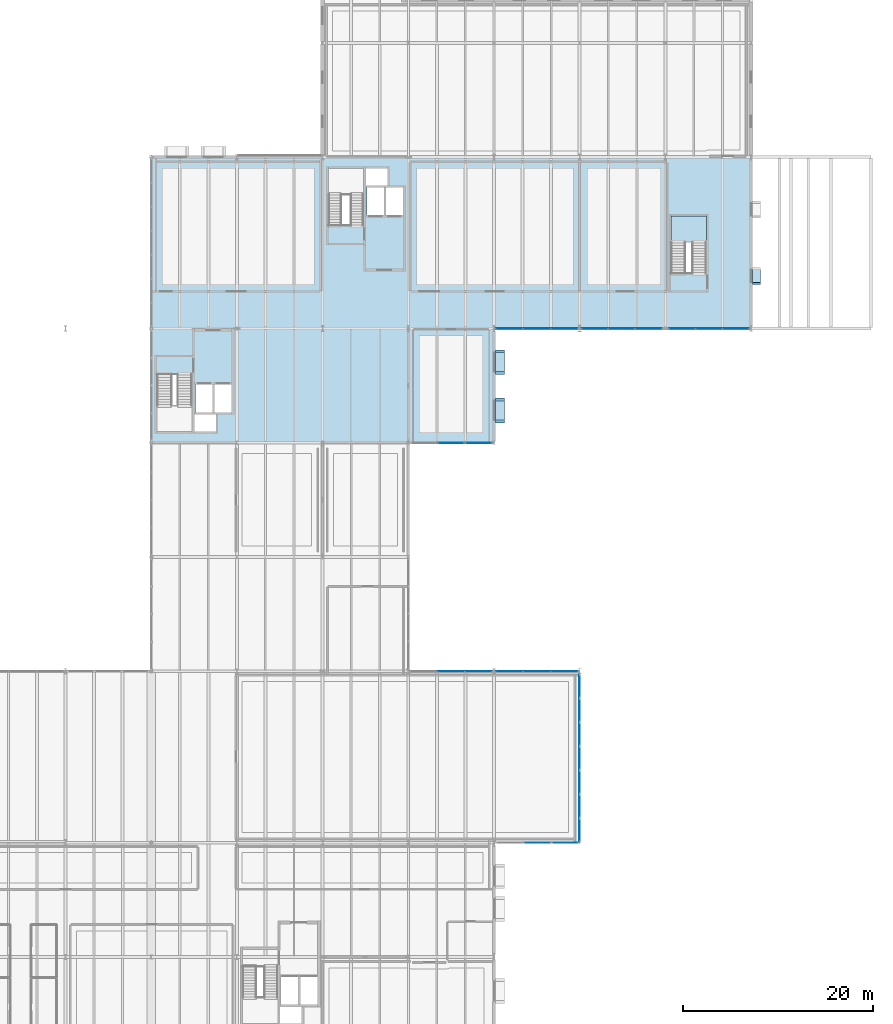
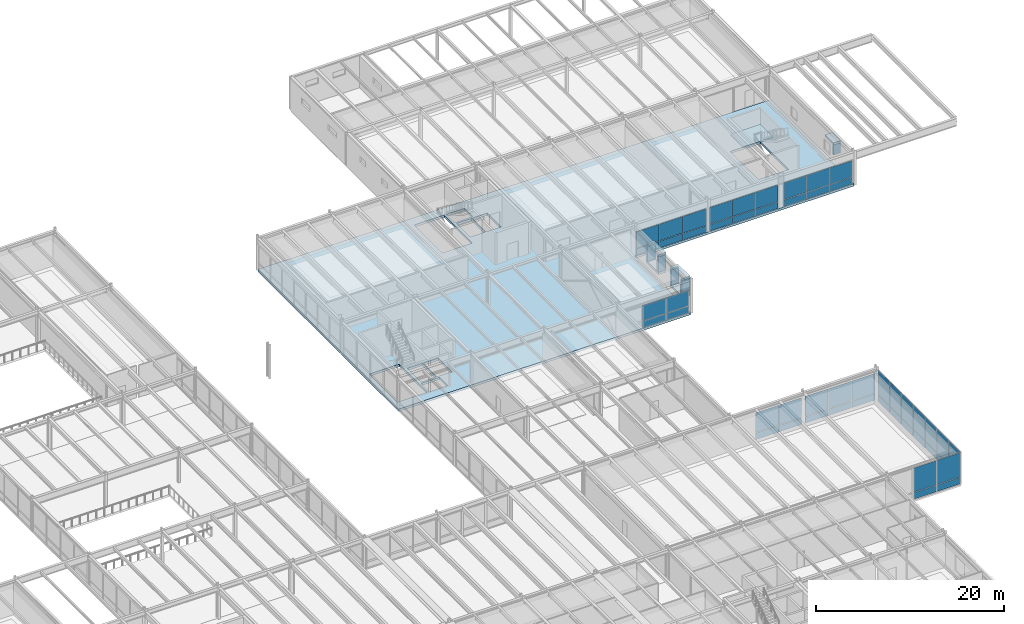
# One storey, part 101 of 127: 60 plates, 2 slabs, 9 elements without a shape of their own.
"""IFC4 building model written with IfcOpenShell, lengths in metres."""

import ifcopenshell
import ifcopenshell.guid

model = None  # the IFC model being written
_history = None  # IfcOwnerHistory: only IFC2X3 demands one
_inside = {}  # id of a spatial element -> (the spatial element, [elements in it])
_under = {}  # id of a project, library or spatial element -> (it, [spatial elements below it])
_declared = {}  # id of a project -> (the project, [libraries it declares])
_typed = {}  # id of a type object -> (the type object, [elements of that type])
_made_of = {}  # id of a material, layer set ... -> (it, [elements and type objects made of it])


def new_model(schema):
    """Start an empty IFC model of exactly this schema.

    Asked for "IFC4X3", IfcOpenShell would pick the latest addendum, in which some entities
    have other attributes; the version numbers below select the first issue.
    IFC2X3 requires an IfcOwnerHistory on every rooted entity: one is made here for all.
    """
    global model, _history
    if schema == "IFC4X3":
        model = ifcopenshell.file(schema_version=(4, 3, 0, 0))
    else:
        model = ifcopenshell.file(schema=schema)
    _inside.clear()
    _under.clear()
    _declared.clear()
    _typed.clear()
    _made_of.clear()
    _history = None
    if model.schema == "IFC2X3":
        org = make("IfcOrganization", Name="unknown")
        user = make(
            "IfcPersonAndOrganization",
            ThePerson=make("IfcPerson", FamilyName="unknown"),
            TheOrganization=org,
        )
        app = make(
            "IfcApplication",
            ApplicationDeveloper=org,
            Version="unknown",
            ApplicationFullName="unknown",
            ApplicationIdentifier="unknown",
        )
        _history = make(
            "IfcOwnerHistory",
            OwningUser=user,
            OwningApplication=app,
            ChangeAction="ADDED",
            CreationDate=0,
        )
    return model


def make(cls, **values):
    """One entity of the class cls with the attributes given. An attribute that is None is left unset."""
    return model.create_entity(
        cls, **{name: value for name, value in values.items() if value is not None}
    )


def rooted(cls, **values):
    """An entity with a GlobalId (a new one), such as an element, a storey or a relation."""
    return make(cls, GlobalId=ifcopenshell.guid.new(), OwnerHistory=_history, **values)


def si_unit(unit_type, name, prefix=None):
    """IfcSIUnit, for example si_unit("LENGTHUNIT", "METRE", prefix="MILLI")."""
    return make("IfcSIUnit", UnitType=unit_type, Prefix=prefix, Name=name)


def assignment(units):
    """IfcUnitAssignment: the units of a project."""
    return None if units is None else make("IfcUnitAssignment", Units=units)


def point(xyz):
    """IfcCartesianPoint."""
    return None if xyz is None else make("IfcCartesianPoint", Coordinates=xyz)


def direction(xyz):
    """IfcDirection."""
    return None if xyz is None else make("IfcDirection", DirectionRatios=xyz)


def frame(location, z_axis=None, x_axis=None):
    """IfcAxis2Placement3D, a coordinate frame: its origin and axes. An axis left out is left unset."""
    return make(
        "IfcAxis2Placement3D",
        Location=point(location),
        Axis=direction(z_axis),
        RefDirection=direction(x_axis),
    )


def frame_2d(location, x_axis=None):
    """IfcAxis2Placement2D, a coordinate frame in the plane: its origin and x axis."""
    return make(
        "IfcAxis2Placement2D", Location=point(location), RefDirection=direction(x_axis)
    )


def origin():
    """The frame at (0, 0, 0) with its axes left unset."""
    return frame((0.0, 0.0, 0.0))


def origin_2d():
    """The frame at (0, 0) in the plane with its x axis left unset."""
    return frame_2d((0.0, 0.0))


def place(relative_to, where):
    """IfcLocalPlacement: puts the frame where relative to a parent placement (None: the world)."""
    return make(
        "IfcLocalPlacement", PlacementRelTo=relative_to, RelativePlacement=where
    )


def context(
    kind, dimensions, precision=None, world=None, true_north=None, identifier=None
):
    """IfcGeometricRepresentationContext, for example the 3D "Model" context."""
    return make(
        "IfcGeometricRepresentationContext",
        ContextIdentifier=identifier,
        ContextType=kind,
        CoordinateSpaceDimension=dimensions,
        Precision=precision,
        WorldCoordinateSystem=world,
        TrueNorth=true_north,
    )


def subcontext(parent, identifier, kind, view, scale=None):
    """IfcGeometricRepresentationSubContext, for example "Body" below "Model"."""
    return make(
        "IfcGeometricRepresentationSubContext",
        ContextIdentifier=identifier,
        ContextType=kind,
        ParentContext=parent,
        TargetScale=scale,
        TargetView=view,
    )


def project(units=None, contexts=None):
    """IfcProject with its units and contexts."""
    return rooted(
        "IfcProject",
        Name="project",
        RepresentationContexts=contexts,
        UnitsInContext=assignment(units),
    )


def spatial(cls, under=None, at=None, **own):
    """A site, building, storey or space (cls), placed at a placement, below another one or the project."""
    s = rooted(cls, ObjectPlacement=at, **own)
    if under is not None:
        _under.setdefault(under.id(), (under, []))[1].append(s)
    return s


def polyline(points):
    """IfcPolyline through the points."""
    return make("IfcPolyline", Points=[point(p) for p in points])


def profile(cls, at=None, kind="AREA", **sizes):
    """A parametric profile (cls). Its sizes go by their IFC names, for example OverallWidth=200.0."""
    return make(cls, ProfileType=kind, Position=at, **sizes)


def rectangle(**sizes):
    """IfcRectangleProfileDef."""
    return profile("IfcRectangleProfileDef", **sizes)


def outline(outer, holes=None, kind="AREA"):
    """IfcArbitraryClosedProfileDef: a profile drawn as a closed curve; with holes, ...WithVoids."""
    if holes is None:
        return make("IfcArbitraryClosedProfileDef", ProfileType=kind, OuterCurve=outer)
    return make(
        "IfcArbitraryProfileDefWithVoids",
        ProfileType=kind,
        OuterCurve=outer,
        InnerCurves=holes,
    )


def extrude(swept, where, along, depth):
    """IfcExtrudedAreaSolid: the profile swept, set in the frame where, extruded along a direction by depth."""
    return make(
        "IfcExtrudedAreaSolid",
        SweptArea=swept,
        Position=where,
        ExtrudedDirection=direction(along),
        Depth=depth,
    )


def shape(context_of_items, identifier, shape_type, items):
    """IfcShapeRepresentation: the items that make up one representation, for example the "Body"."""
    return make(
        "IfcShapeRepresentation",
        ContextOfItems=context_of_items,
        RepresentationIdentifier=identifier,
        RepresentationType=shape_type,
        Items=items,
    )


def material(Name=None, Category=None):
    """IfcMaterial."""
    return make("IfcMaterial", Name=Name, Category=Category)


def layer(
    of_material, thickness, ventilated=None, Name=None, Category=None, Priority=None
):
    """IfcMaterialLayer: one layer of a wall or slab, of a material (None: an air gap)."""
    return make(
        "IfcMaterialLayer",
        Material=of_material,
        LayerThickness=thickness,
        IsVentilated=ventilated,
        Name=Name,
        Category=Category,
        Priority=Priority,
    )


def layer_set(layers, Name=None):
    """IfcMaterialLayerSet."""
    return make("IfcMaterialLayerSet", MaterialLayers=layers, LayerSetName=Name)


def made_of(thing, what):
    """Note that an element or type object is made of a material, layer set ...; save() writes the relation."""
    if what is not None:
        _made_of.setdefault(what.id(), (what, []))[1].append(thing)
    return thing


def type_object(cls, material=None, **own):
    """A type object (cls), such as IfcWallType, which elements share."""
    return made_of(rooted(cls, **own), material)


def element(
    cls,
    number,
    at=None,
    inside=None,
    cuts=None,
    type_object=None,
    material=None,
    context=None,
    identifier="Body",
    shape_type=None,
    held_by="IfcProductDefinitionShape",
    body=None,
    shapes=None,
    **own,
):
    """One element of the class cls, such as IfcWall. Its Tag is "e" and its number.

    at: its placement. inside: the storey or other place that contains it. cuts: it is an
    opening in that element (IfcRelVoidsElement). A single representation is given by context,
    identifier, shape_type and body (its items); several are given by shapes. held_by: the class
    of the entity that holds the representations. save() writes the other relations.
    """
    e = rooted(cls, Tag="e%d" % number, ObjectPlacement=at, **own)
    if body is not None:
        shapes = [shape(context, identifier, shape_type, body)]
    if shapes is not None:
        e.Representation = make(held_by, Representations=shapes)
    if inside is not None:
        _inside.setdefault(inside.id(), (inside, []))[1].append(e)
    if cuts is not None:
        rooted(
            "IfcRelVoidsElement", RelatingBuildingElement=cuts, RelatedOpeningElement=e
        )
    if type_object is not None:
        _typed.setdefault(type_object.id(), (type_object, []))[1].append(e)
    return made_of(e, material)


def aggregate(whole, parts):
    """IfcRelAggregates: a whole, such as a stair, and the parts it consists of."""
    return rooted("IfcRelAggregates", RelatingObject=whole, RelatedObjects=parts)


def save(model, path):
    """Write the relations noted so far, then the file.

    IfcRelAggregates (storeys below a building ...), IfcRelContainedInSpatialStructure (elements
    in a storey), IfcRelDefinesByType, IfcRelAssociatesMaterial and IfcRelDeclares: one each for
    every whole, place, type object, material and project.
    """
    for whole, parts in _under.values():
        aggregate(whole, parts)
    for where, things in _inside.values():
        rooted(
            "IfcRelContainedInSpatialStructure",
            RelatedElements=things,
            RelatingStructure=where,
        )
    for kind, things in _typed.values():
        rooted("IfcRelDefinesByType", RelatedObjects=things, RelatingType=kind)
    for what, things in _made_of.values():
        rooted("IfcRelAssociatesMaterial", RelatedObjects=things, RelatingMaterial=what)
    for by, libraries in _declared.values():
        rooted("IfcRelDeclares", RelatingContext=by, RelatedDefinitions=libraries)
    model.write(path)


model = new_model("IFC4")

# Units and contexts
model_context = context("Model", 3, precision=1e-05, world=origin(), true_north=direction((0.0, 1.0)))
body_context = subcontext(model_context, "Body", "Model", "MODEL_VIEW")
ifc_project = project(units=[si_unit("LENGTHUNIT", "METRE"), si_unit("AREAUNIT", "SQUARE_METRE"), si_unit("VOLUMEUNIT", "CUBIC_METRE"), si_unit("PLANEANGLEUNIT", "RADIAN"), si_unit("MASSUNIT", "GRAM", prefix="KILO")], contexts=[model_context])

# Site, building, storey
site_placement = place(None, origin())
site = spatial("IfcSite", under=ifc_project, at=site_placement, CompositionType="ELEMENT")
building_placement = place(site_placement, origin())
building = spatial("IfcBuilding", under=site, at=building_placement, Name="Montelvaro Courts of Justice", CompositionType="ELEMENT")
storey_placement = place(building_placement, frame((0.0, 0.0, 5.39990234375)))
storey = spatial("IfcBuildingStorey", under=building, at=storey_placement, Name="L01", CompositionType="ELEMENT", Elevation=5.39990234375)

# Curtain wall, plates
ifc_material_1 = material(Name="Anodised aluminium EN AW-6063", Category="aluminium")
ifc_layer_1 = layer(ifc_material_1, 0.159912109375)
ifc_layer_set_1 = layer_set([ifc_layer_1], Name="Anodised aluminium EN AW-6063")
curtain_wall_type_1 = type_object("IfcCurtainWallType", Name="CurtainWall_14_867x418", PredefinedType="USERDEFINED", material=ifc_layer_set_1)
curtain_wall_1_placement = place(storey_placement, origin())
curtain_wall_1 = element("IfcCurtainWall", 1, at=curtain_wall_1_placement, inside=storey, type_object=curtain_wall_type_1, Name="Curtain Wall CW-14 (L01)", ObjectType="CURTAIN WALL", PredefinedType="USERDEFINED")
ifc_material_2 = material(Name="Acoustic laminated triple glazing", Category="glass")
ifc_layer_2 = layer(ifc_material_2, 0.035888671875)
ifc_layer_set_2 = layer_set([ifc_layer_2], Name="Acoustic laminated triple glazing")
plate_type_1 = type_object("IfcPlateType", Name="CurtainWall_Acoustic_Panel_36", PredefinedType="CURTAIN_PANEL", material=ifc_layer_set_2)
plate_1_placement = place(storey_placement, frame((136.625, 78.0, 0.06005859375), z_axis=(0.0, 0.0, 1.0), x_axis=(1.0, 0.0, 0.0)))
plate_1 = element("IfcPlate", 2, at=plate_1_placement, type_object=plate_type_1, Name="CW-14 panel 1.1", PredefinedType="CURTAIN_PANEL", context=body_context, shape_type="SweptSolid", body=[
    extrude(rectangle(XDim=2.800048828125, YDim=0.035888671875, at=origin_2d()), origin(), (0.0, 0.0, 1.0), 0.860107421875),
])
plate_2_placement = place(storey_placement, frame((136.625, 78.0, 0.980224609375), z_axis=(0.0, 0.0, 1.0), x_axis=(1.0, 0.0, 0.0)))
plate_2 = element("IfcPlate", 3, at=plate_2_placement, type_object=plate_type_1, Name="CW-14 panel 1.2", PredefinedType="CURTAIN_PANEL", context=body_context, shape_type="SweptSolid", body=[
    extrude(rectangle(XDim=2.800048828125, YDim=0.035888671875, at=origin_2d()), origin(), (0.0, 0.0, 1.0), 2.14697265625),
])
plate_3_placement = place(storey_placement, frame((139.5, 78.0, 0.06005859375), z_axis=(0.0, 0.0, 1.0), x_axis=(1.0, 0.0, 0.0)))
plate_3 = element("IfcPlate", 4, at=plate_3_placement, type_object=plate_type_1, Name="CW-14 panel 2.1", PredefinedType="CURTAIN_PANEL", context=body_context, shape_type="SweptSolid", body=[
    extrude(rectangle(XDim=2.830078125, YDim=0.035888671875, at=origin_2d()), origin(), (0.0, 0.0, 1.0), 0.860107421875),
])
plate_4_placement = place(storey_placement, frame((139.5, 78.0, 0.980224609375), z_axis=(0.0, 0.0, 1.0), x_axis=(1.0, 0.0, 0.0)))
plate_4 = element("IfcPlate", 5, at=plate_4_placement, type_object=plate_type_1, Name="CW-14 panel 2.2", PredefinedType="CURTAIN_PANEL", context=body_context, shape_type="SweptSolid", body=[
    extrude(rectangle(XDim=2.830078125, YDim=0.035888671875, at=origin_2d()), origin(), (0.0, 0.0, 1.0), 2.14697265625),
])
plate_5_placement = place(storey_placement, frame((142.375, 78.0, 0.06005859375), z_axis=(0.0, 0.0, 1.0), x_axis=(1.0, 0.0, 0.0)))
plate_5 = element("IfcPlate", 6, at=plate_5_placement, type_object=plate_type_1, Name="CW-14 panel 3.1", PredefinedType="CURTAIN_PANEL", context=body_context, shape_type="SweptSolid", body=[
    extrude(rectangle(XDim=2.800048828125, YDim=0.035888671875, at=origin_2d()), origin(), (0.0, 0.0, 1.0), 0.860107421875),
])
plate_6_placement = place(storey_placement, frame((142.375, 78.0, 0.980224609375), z_axis=(0.0, 0.0, 1.0), x_axis=(1.0, 0.0, 0.0)))
plate_6 = element("IfcPlate", 7, at=plate_6_placement, type_object=plate_type_1, Name="CW-14 panel 3.2", PredefinedType="CURTAIN_PANEL", context=body_context, shape_type="SweptSolid", body=[
    extrude(rectangle(XDim=2.800048828125, YDim=0.035888671875, at=origin_2d()), origin(), (0.0, 0.0, 1.0), 2.14697265625),
])
aggregate(curtain_wall_1, [plate_1, plate_2, plate_3, plate_4, plate_5, plate_6])

ifc_layer_3 = layer(ifc_material_1, 0.159912109375)
ifc_layer_set_3 = layer_set([ifc_layer_3], Name="Anodised aluminium EN AW-6063")
curtain_wall_type_2 = type_object("IfcCurtainWallType", Name="CurtainWall_21_849x418", PredefinedType="USERDEFINED", material=ifc_layer_set_3)
curtain_wall_2_placement = place(storey_placement, origin())
curtain_wall_2 = element("IfcCurtainWall", 8, at=curtain_wall_2_placement, inside=storey, type_object=curtain_wall_type_2, Name="Curtain Wall CW-21 (L01)", ObjectType="CURTAIN WALL", PredefinedType="USERDEFINED")
plate_7_placement = place(storey_placement, frame((145.595947265625, 78.0, 0.06005859375), z_axis=(0.0, 0.0, 1.0), x_axis=(1.0, 0.0, 0.0)))
plate_7 = element("IfcPlate", 9, at=plate_7_placement, type_object=plate_type_1, Name="CW-21 panel 1.1", PredefinedType="CURTAIN_PANEL", context=body_context, shape_type="SweptSolid", body=[
    extrude(rectangle(XDim=2.74169921875, YDim=0.035888671875, at=origin_2d()), origin(), (0.0, 0.0, 1.0), 0.860107421875),
])
plate_8_placement = place(storey_placement, frame((145.595947265625, 78.0, 0.980224609375), z_axis=(0.0, 0.0, 1.0), x_axis=(1.0, 0.0, 0.0)))
plate_8 = element("IfcPlate", 10, at=plate_8_placement, type_object=plate_type_1, Name="CW-21 panel 1.2", PredefinedType="CURTAIN_PANEL", context=body_context, shape_type="SweptSolid", body=[
    extrude(rectangle(XDim=2.74169921875, YDim=0.035888671875, at=origin_2d()), origin(), (0.0, 0.0, 1.0), 2.14697265625),
])
plate_9_placement = place(storey_placement, frame((148.41259765625, 78.0, 0.06005859375), z_axis=(0.0, 0.0, 1.0), x_axis=(1.0, 0.0, 0.0)))
plate_9 = element("IfcPlate", 11, at=plate_9_placement, type_object=plate_type_1, Name="CW-21 panel 2.1", PredefinedType="CURTAIN_PANEL", context=body_context, shape_type="SweptSolid", body=[
    extrude(rectangle(XDim=2.771728515625, YDim=0.035888671875, at=origin_2d()), origin(), (0.0, 0.0, 1.0), 0.860107421875),
])
plate_10_placement = place(storey_placement, frame((148.41259765625, 78.0, 0.980224609375), z_axis=(0.0, 0.0, 1.0), x_axis=(1.0, 0.0, 0.0)))
plate_10 = element("IfcPlate", 12, at=plate_10_placement, type_object=plate_type_1, Name="CW-21 panel 2.2", PredefinedType="CURTAIN_PANEL", context=body_context, shape_type="SweptSolid", body=[
    extrude(rectangle(XDim=2.771728515625, YDim=0.035888671875, at=origin_2d()), origin(), (0.0, 0.0, 1.0), 2.14697265625),
])
plate_11_placement = place(storey_placement, frame((151.229248046875, 78.0, 0.06005859375), z_axis=(0.0, 0.0, 1.0), x_axis=(1.0, 0.0, 0.0)))
plate_11 = element("IfcPlate", 13, at=plate_11_placement, type_object=plate_type_1, Name="CW-21 panel 3.1", PredefinedType="CURTAIN_PANEL", context=body_context, shape_type="SweptSolid", body=[
    extrude(rectangle(XDim=2.74169921875, YDim=0.035888671875, at=origin_2d()), origin(), (0.0, 0.0, 1.0), 0.860107421875),
])
plate_12_placement = place(storey_placement, frame((151.229248046875, 78.0, 0.980224609375), z_axis=(0.0, 0.0, 1.0), x_axis=(1.0, 0.0, 0.0)))
plate_12 = element("IfcPlate", 14, at=plate_12_placement, type_object=plate_type_1, Name="CW-21 panel 3.2", PredefinedType="CURTAIN_PANEL", context=body_context, shape_type="SweptSolid", body=[
    extrude(rectangle(XDim=2.74169921875, YDim=0.035888671875, at=origin_2d()), origin(), (0.0, 0.0, 1.0), 2.14697265625),
])
aggregate(curtain_wall_2, [plate_7, plate_8, plate_9, plate_10, plate_11, plate_12])

ifc_layer_4 = layer(ifc_material_1, 0.159912109375)
ifc_layer_set_4 = layer_set([ifc_layer_4], Name="Anodised aluminium EN AW-6063")
curtain_wall_type_3 = type_object("IfcCurtainWallType", Name="CurtainWall_25_879x418", PredefinedType="USERDEFINED", material=ifc_layer_set_4)
curtain_wall_3_placement = place(storey_placement, origin())
curtain_wall_3 = element("IfcCurtainWall", 15, at=curtain_wall_3_placement, inside=storey, type_object=curtain_wall_type_3, Name="Curtain Wall CW-25 (L01)", ObjectType="CURTAIN WALL", PredefinedType="USERDEFINED")
plate_13_placement = place(storey_placement, frame((139.5634765625, 24.0, 0.06005859375), z_axis=(0.0, 0.0, 1.0), x_axis=(1.0, 0.0, 0.0)))
plate_13 = element("IfcPlate", 16, at=plate_13_placement, type_object=plate_type_1, Name="CW-25 panel 2.1", PredefinedType="CURTAIN_PANEL", context=body_context, shape_type="SweptSolid", body=[
    extrude(rectangle(XDim=2.85595703125, YDim=0.035888671875, at=origin_2d()), origin(), (0.0, 0.0, 1.0), 0.860107421875),
])
plate_14_placement = place(storey_placement, frame((139.5634765625, 24.0, 0.97998046875), z_axis=(0.0, 0.0, 1.0), x_axis=(1.0, 0.0, 0.0)))
plate_14 = element("IfcPlate", 17, at=plate_14_placement, type_object=plate_type_1, Name="CW-25 panel 2.2", PredefinedType="CURTAIN_PANEL", context=body_context, shape_type="SweptSolid", body=[
    extrude(rectangle(XDim=2.85595703125, YDim=0.035888671875, at=origin_2d()), origin(), (0.0, 0.0, 1.0), 3.139892578125),
])
plate_15_placement = place(storey_placement, frame((142.475830078125, 24.0, 0.06005859375), z_axis=(0.0, 0.0, 1.0), x_axis=(1.0, 0.0, 0.0)))
plate_15 = element("IfcPlate", 18, at=plate_15_placement, type_object=plate_type_1, Name="CW-25 panel 3.1", PredefinedType="CURTAIN_PANEL", context=body_context, shape_type="SweptSolid", body=[
    extrude(rectangle(XDim=2.818603515625, YDim=0.035888671875, at=origin_2d()), origin(), (0.0, 0.0, 1.0), 0.860107421875),
])
plate_16_placement = place(storey_placement, frame((142.475830078125, 24.0, 0.97998046875), z_axis=(0.0, 0.0, 1.0), x_axis=(1.0, 0.0, 0.0)))
plate_16 = element("IfcPlate", 19, at=plate_16_placement, type_object=plate_type_1, Name="CW-25 panel 3.2", PredefinedType="CURTAIN_PANEL", context=body_context, shape_type="SweptSolid", body=[
    extrude(rectangle(XDim=2.818603515625, YDim=0.035888671875, at=origin_2d()), origin(), (0.0, 0.0, 1.0), 3.139892578125),
])
aggregate(curtain_wall_3, [plate_13, plate_14, plate_15, plate_16])

curtain_wall_4_placement = place(storey_placement, origin())
curtain_wall_4 = element("IfcCurtainWall", 20, at=curtain_wall_4_placement, inside=storey, type_object=curtain_wall_type_1, Name="Curtain Wall CW-14 (L01)", ObjectType="CURTAIN WALL", PredefinedType="USERDEFINED")
plate_17_placement = place(storey_placement, frame((142.375, 42.0, 0.0751953125), z_axis=(0.0, 0.0, 1.0), x_axis=(-1.0, 0.0, 0.0)))
plate_17 = element("IfcPlate", 21, at=plate_17_placement, type_object=plate_type_1, Name="CW-14 panel 1.1", PredefinedType="CURTAIN_PANEL", context=body_context, shape_type="SweptSolid", body=[
    extrude(rectangle(XDim=2.800048828125, YDim=0.035888671875, at=origin_2d()), origin(), (0.0, 0.0, 1.0), 0.83740234375),
])
plate_18_placement = place(storey_placement, frame((142.375, 42.0, 0.98779296875), z_axis=(0.0, 0.0, 1.0), x_axis=(-1.0, 0.0, 0.0)))
plate_18 = element("IfcPlate", 22, at=plate_18_placement, type_object=plate_type_1, Name="CW-14 panel 1.2", PredefinedType="CURTAIN_PANEL", context=body_context, shape_type="SweptSolid", body=[
    extrude(rectangle(XDim=2.800048828125, YDim=0.035888671875, at=origin_2d()), origin(), (0.0, 0.0, 1.0), 2.552490234375),
])
plate_19_placement = place(storey_placement, frame((139.5, 42.0, 0.0751953125), z_axis=(0.0, 0.0, 1.0), x_axis=(-1.0, 0.0, 0.0)))
plate_19 = element("IfcPlate", 23, at=plate_19_placement, type_object=plate_type_1, Name="CW-14 panel 2.1", PredefinedType="CURTAIN_PANEL", context=body_context, shape_type="SweptSolid", body=[
    extrude(rectangle(XDim=2.830078125, YDim=0.035888671875, at=origin_2d()), origin(), (0.0, 0.0, 1.0), 0.83740234375),
])
plate_20_placement = place(storey_placement, frame((139.5, 42.0, 0.98779296875), z_axis=(0.0, 0.0, 1.0), x_axis=(-1.0, 0.0, 0.0)))
plate_20 = element("IfcPlate", 24, at=plate_20_placement, type_object=plate_type_1, Name="CW-14 panel 2.2", PredefinedType="CURTAIN_PANEL", context=body_context, shape_type="SweptSolid", body=[
    extrude(rectangle(XDim=2.830078125, YDim=0.035888671875, at=origin_2d()), origin(), (0.0, 0.0, 1.0), 2.552490234375),
])
plate_21_placement = place(storey_placement, frame((136.625, 42.0, 0.0751953125), z_axis=(0.0, 0.0, 1.0), x_axis=(-1.0, 0.0, 0.0)))
plate_21 = element("IfcPlate", 25, at=plate_21_placement, type_object=plate_type_1, Name="CW-14 panel 3.1", PredefinedType="CURTAIN_PANEL", context=body_context, shape_type="SweptSolid", body=[
    extrude(rectangle(XDim=2.800048828125, YDim=0.035888671875, at=origin_2d()), origin(), (0.0, 0.0, 1.0), 0.83740234375),
])
plate_22_placement = place(storey_placement, frame((136.625, 42.0, 0.98779296875), z_axis=(0.0, 0.0, 1.0), x_axis=(-1.0, 0.0, 0.0)))
plate_22 = element("IfcPlate", 26, at=plate_22_placement, type_object=plate_type_1, Name="CW-14 panel 3.2", PredefinedType="CURTAIN_PANEL", context=body_context, shape_type="SweptSolid", body=[
    extrude(rectangle(XDim=2.800048828125, YDim=0.035888671875, at=origin_2d()), origin(), (0.0, 0.0, 1.0), 2.552490234375),
])
aggregate(curtain_wall_4, [plate_17, plate_18, plate_19, plate_20, plate_21, plate_22])

curtain_wall_5_placement = place(storey_placement, origin())
curtain_wall_5 = element("IfcCurtainWall", 27, at=curtain_wall_5_placement, inside=storey, type_object=curtain_wall_type_1, Name="Curtain Wall CW-14 (L01)", ObjectType="CURTAIN WALL", PredefinedType="USERDEFINED")
plate_23_placement = place(storey_placement, frame((133.375, 42.0, 0.0751953125), z_axis=(0.0, 0.0, 1.0), x_axis=(-1.0, 0.0, 0.0)))
plate_23 = element("IfcPlate", 28, at=plate_23_placement, type_object=plate_type_1, Name="CW-14 panel 1.1", PredefinedType="CURTAIN_PANEL", context=body_context, shape_type="SweptSolid", body=[
    extrude(rectangle(XDim=2.800048828125, YDim=0.035888671875, at=origin_2d()), origin(), (0.0, 0.0, 1.0), 0.83740234375),
])
plate_24_placement = place(storey_placement, frame((133.375, 42.0, 0.98779296875), z_axis=(0.0, 0.0, 1.0), x_axis=(-1.0, 0.0, 0.0)))
plate_24 = element("IfcPlate", 29, at=plate_24_placement, type_object=plate_type_1, Name="CW-14 panel 1.2", PredefinedType="CURTAIN_PANEL", context=body_context, shape_type="SweptSolid", body=[
    extrude(rectangle(XDim=2.800048828125, YDim=0.035888671875, at=origin_2d()), origin(), (0.0, 0.0, 1.0), 2.552490234375),
])
plate_25_placement = place(storey_placement, frame((130.5, 42.0, 0.0751953125), z_axis=(0.0, 0.0, 1.0), x_axis=(-1.0, 0.0, 0.0)))
plate_25 = element("IfcPlate", 30, at=plate_25_placement, type_object=plate_type_1, Name="CW-14 panel 2.1", PredefinedType="CURTAIN_PANEL", context=body_context, shape_type="SweptSolid", body=[
    extrude(rectangle(XDim=2.830078125, YDim=0.035888671875, at=origin_2d()), origin(), (0.0, 0.0, 1.0), 0.83740234375),
])
plate_26_placement = place(storey_placement, frame((130.5, 42.0, 0.98779296875), z_axis=(0.0, 0.0, 1.0), x_axis=(-1.0, 0.0, 0.0)))
plate_26 = element("IfcPlate", 31, at=plate_26_placement, type_object=plate_type_1, Name="CW-14 panel 2.2", PredefinedType="CURTAIN_PANEL", context=body_context, shape_type="SweptSolid", body=[
    extrude(rectangle(XDim=2.830078125, YDim=0.035888671875, at=origin_2d()), origin(), (0.0, 0.0, 1.0), 2.552490234375),
])
aggregate(curtain_wall_5, [plate_23, plate_24, plate_25, plate_26])

curtain_wall_6_placement = place(storey_placement, origin())
curtain_wall_6 = element("IfcCurtainWall", 32, at=curtain_wall_6_placement, inside=storey, type_object=curtain_wall_type_1, Name="Curtain Wall CW-14 (L01)", ObjectType="CURTAIN WALL", PredefinedType="USERDEFINED")
ifc_material_3 = material(Name="Insulated spandrel glazing", Category="glass")
ifc_layer_5 = layer(ifc_material_3, 0.048095703125)
ifc_layer_set_5 = layer_set([ifc_layer_5], Name="Insulated spandrel glazing")
plate_type_2 = type_object("IfcPlateType", Name="CurtainWall_Spandrel_Panel_48", PredefinedType="CURTAIN_PANEL", material=ifc_layer_set_5)
plate_27_placement = place(storey_placement, frame((130.5, 66.0, 0.0751953125), z_axis=(0.0, 0.0, 1.0), x_axis=(1.0, 0.0, 0.0)))
plate_27 = element("IfcPlate", 33, at=plate_27_placement, type_object=plate_type_2, Name="CW-14 panel 2.1", PredefinedType="CURTAIN_PANEL", context=body_context, shape_type="SweptSolid", body=[
    extrude(rectangle(XDim=2.81494140625, YDim=0.048095703125, at=origin_2d()), origin(), (0.0, 0.0, 1.0), 0.83740234375),
])
plate_28_placement = place(storey_placement, frame((130.5, 66.0, 0.98779296875), z_axis=(0.0, 0.0, 1.0), x_axis=(1.0, 0.0, 0.0)))
plate_28 = element("IfcPlate", 34, at=plate_28_placement, type_object=plate_type_2, Name="CW-14 panel 2.2", PredefinedType="CURTAIN_PANEL", context=body_context, shape_type="SweptSolid", body=[
    extrude(rectangle(XDim=2.81494140625, YDim=0.048095703125, at=origin_2d()), origin(), (0.0, 0.0, 1.0), 1.952392578125),
])
plate_29_placement = place(storey_placement, frame((133.371337890625, 66.0, 0.0751953125), z_axis=(0.0, 0.0, 1.0), x_axis=(1.0, 0.0, 0.0)))
plate_29 = element("IfcPlate", 35, at=plate_29_placement, type_object=plate_type_2, Name="CW-14 panel 3.1", PredefinedType="CURTAIN_PANEL", context=body_context, shape_type="SweptSolid", body=[
    extrude(rectangle(XDim=2.777587890625, YDim=0.048095703125, at=origin_2d()), origin(), (0.0, 0.0, 1.0), 0.83740234375),
])
plate_30_placement = place(storey_placement, frame((133.371337890625, 66.0, 0.98779296875), z_axis=(0.0, 0.0, 1.0), x_axis=(1.0, 0.0, 0.0)))
plate_30 = element("IfcPlate", 36, at=plate_30_placement, type_object=plate_type_2, Name="CW-14 panel 3.2", PredefinedType="CURTAIN_PANEL", context=body_context, shape_type="SweptSolid", body=[
    extrude(rectangle(XDim=2.777587890625, YDim=0.048095703125, at=origin_2d()), origin(), (0.0, 0.0, 1.0), 1.952392578125),
])
aggregate(curtain_wall_6, [plate_27, plate_28, plate_29, plate_30])

curtain_wall_7_placement = place(storey_placement, origin())
curtain_wall_7 = element("IfcCurtainWall", 37, at=curtain_wall_7_placement, inside=storey, type_object=curtain_wall_type_2, Name="Curtain Wall CW-21 (L01)", ObjectType="CURTAIN WALL", PredefinedType="USERDEFINED")
plate_31_placement = place(storey_placement, frame((154.770751953125, 78.0, 0.06005859375), z_axis=(0.0, 0.0, 1.0), x_axis=(1.0, 0.0, 0.0)))
plate_31 = element("IfcPlate", 38, at=plate_31_placement, type_object=plate_type_2, Name="CW-21 panel 1.1", PredefinedType="CURTAIN_PANEL", context=body_context, shape_type="SweptSolid", body=[
    extrude(rectangle(XDim=2.74169921875, YDim=0.048095703125, at=origin_2d()), origin(), (0.0, 0.0, 1.0), 0.860107421875),
])
plate_32_placement = place(storey_placement, frame((154.770751953125, 78.0, 0.980224609375), z_axis=(0.0, 0.0, 1.0), x_axis=(1.0, 0.0, 0.0)))
plate_32 = element("IfcPlate", 39, at=plate_32_placement, type_object=plate_type_2, Name="CW-21 panel 1.2", PredefinedType="CURTAIN_PANEL", context=body_context, shape_type="SweptSolid", body=[
    extrude(rectangle(XDim=2.74169921875, YDim=0.048095703125, at=origin_2d()), origin(), (0.0, 0.0, 1.0), 2.14697265625),
])
plate_33_placement = place(storey_placement, frame((157.58740234375, 78.0, 0.06005859375), z_axis=(0.0, 0.0, 1.0), x_axis=(1.0, 0.0, 0.0)))
plate_33 = element("IfcPlate", 40, at=plate_33_placement, type_object=plate_type_2, Name="CW-21 panel 2.1", PredefinedType="CURTAIN_PANEL", context=body_context, shape_type="SweptSolid", body=[
    extrude(rectangle(XDim=2.771728515625, YDim=0.048095703125, at=origin_2d()), origin(), (0.0, 0.0, 1.0), 0.860107421875),
])
plate_34_placement = place(storey_placement, frame((157.58740234375, 78.0, 0.980224609375), z_axis=(0.0, 0.0, 1.0), x_axis=(1.0, 0.0, 0.0)))
plate_34 = element("IfcPlate", 41, at=plate_34_placement, type_object=plate_type_2, Name="CW-21 panel 2.2", PredefinedType="CURTAIN_PANEL", context=body_context, shape_type="SweptSolid", body=[
    extrude(rectangle(XDim=2.771728515625, YDim=0.048095703125, at=origin_2d()), origin(), (0.0, 0.0, 1.0), 2.14697265625),
])
plate_35_placement = place(storey_placement, frame((160.404052734375, 78.0, 0.06005859375), z_axis=(0.0, 0.0, 1.0), x_axis=(1.0, 0.0, 0.0)))
plate_35 = element("IfcPlate", 42, at=plate_35_placement, type_object=plate_type_2, Name="CW-21 panel 3.1", PredefinedType="CURTAIN_PANEL", context=body_context, shape_type="SweptSolid", body=[
    extrude(rectangle(XDim=2.74169921875, YDim=0.048095703125, at=origin_2d()), origin(), (0.0, 0.0, 1.0), 0.860107421875),
])
plate_36_placement = place(storey_placement, frame((160.404052734375, 78.0, 0.980224609375), z_axis=(0.0, 0.0, 1.0), x_axis=(1.0, 0.0, 0.0)))
plate_36 = element("IfcPlate", 43, at=plate_36_placement, type_object=plate_type_2, Name="CW-21 panel 3.2", PredefinedType="CURTAIN_PANEL", context=body_context, shape_type="SweptSolid", body=[
    extrude(rectangle(XDim=2.74169921875, YDim=0.048095703125, at=origin_2d()), origin(), (0.0, 0.0, 1.0), 2.14697265625),
])
aggregate(curtain_wall_7, [plate_31, plate_32, plate_33, plate_34, plate_35, plate_36])

ifc_layer_6 = layer(ifc_material_1, 0.159912109375)
ifc_layer_set_6 = layer_set([ifc_layer_6], Name="Anodised aluminium EN AW-6063")
curtain_wall_type_4 = type_object("IfcCurtainWallType", Name="CurtainWall_15_1765x418", PredefinedType="USERDEFINED", material=ifc_layer_set_6)
curtain_wall_8_placement = place(storey_placement, origin())
curtain_wall_8 = element("IfcCurtainWall", 44, at=curtain_wall_8_placement, inside=storey, type_object=curtain_wall_type_4, Name="Curtain Wall CW-15 (L01)", ObjectType="CURTAIN WALL", PredefinedType="USERDEFINED")
plate_37_placement = place(storey_placement, frame((144.0, 25.32080078125, 0.06005859375), z_axis=(0.0, 0.0, 1.0), x_axis=(0.0, 1.0, 0.0)))
plate_37 = element("IfcPlate", 45, at=plate_37_placement, type_object=plate_type_2, Name="CW-15 panel 1.1", PredefinedType="CURTAIN_PANEL", context=body_context, shape_type="SweptSolid", body=[
    extrude(rectangle(XDim=2.411865234375, YDim=0.048095703125, at=origin_2d()), origin(), (0.0, 0.0, 1.0), 0.860107421875),
])
plate_38_placement = place(storey_placement, frame((144.0, 25.32080078125, 0.97998046875), z_axis=(0.0, 0.0, 1.0), x_axis=(0.0, 1.0, 0.0)))
plate_38 = element("IfcPlate", 46, at=plate_38_placement, type_object=plate_type_2, Name="CW-15 panel 1.2", PredefinedType="CURTAIN_PANEL", context=body_context, shape_type="SweptSolid", body=[
    extrude(rectangle(XDim=2.411865234375, YDim=0.048095703125, at=origin_2d()), origin(), (0.0, 0.0, 1.0), 3.139892578125),
])
plate_39_placement = place(storey_placement, frame((144.0, 27.826416015625, 0.06005859375), z_axis=(0.0, 0.0, 1.0), x_axis=(0.0, 1.0, 0.0)))
plate_39 = element("IfcPlate", 47, at=plate_39_placement, type_object=plate_type_2, Name="CW-15 panel 2.1", PredefinedType="CURTAIN_PANEL", context=body_context, shape_type="SweptSolid", body=[
    extrude(rectangle(XDim=2.44921875, YDim=0.048095703125, at=origin_2d()), origin(), (0.0, 0.0, 1.0), 0.860107421875),
])
plate_40_placement = place(storey_placement, frame((144.0, 27.826416015625, 0.97998046875), z_axis=(0.0, 0.0, 1.0), x_axis=(0.0, 1.0, 0.0)))
plate_40 = element("IfcPlate", 48, at=plate_40_placement, type_object=plate_type_2, Name="CW-15 panel 2.2", PredefinedType="CURTAIN_PANEL", context=body_context, shape_type="SweptSolid", body=[
    extrude(rectangle(XDim=2.44921875, YDim=0.048095703125, at=origin_2d()), origin(), (0.0, 0.0, 1.0), 3.139892578125),
])
plate_41_placement = place(storey_placement, frame((144.0, 30.350830078125, 0.06005859375), z_axis=(0.0, 0.0, 1.0), x_axis=(0.0, 1.0, 0.0)))
plate_41 = element("IfcPlate", 49, at=plate_41_placement, type_object=plate_type_2, Name="CW-15 panel 3.1", PredefinedType="CURTAIN_PANEL", context=body_context, shape_type="SweptSolid", body=[
    extrude(rectangle(XDim=2.44921875, YDim=0.048095703125, at=origin_2d()), origin(), (0.0, 0.0, 1.0), 0.860107421875),
])
plate_42_placement = place(storey_placement, frame((144.0, 30.350830078125, 0.97998046875), z_axis=(0.0, 0.0, 1.0), x_axis=(0.0, 1.0, 0.0)))
plate_42 = element("IfcPlate", 50, at=plate_42_placement, type_object=plate_type_2, Name="CW-15 panel 3.2", PredefinedType="CURTAIN_PANEL", context=body_context, shape_type="SweptSolid", body=[
    extrude(rectangle(XDim=2.44921875, YDim=0.048095703125, at=origin_2d()), origin(), (0.0, 0.0, 1.0), 3.139892578125),
])
plate_43_placement = place(storey_placement, frame((144.0, 32.875, 0.06005859375), z_axis=(0.0, 0.0, 1.0), x_axis=(0.0, 1.0, 0.0)))
plate_43 = element("IfcPlate", 51, at=plate_43_placement, type_object=plate_type_2, Name="CW-15 panel 4.1", PredefinedType="CURTAIN_PANEL", context=body_context, shape_type="SweptSolid", body=[
    extrude(rectangle(XDim=2.44921875, YDim=0.048095703125, at=origin_2d()), origin(), (0.0, 0.0, 1.0), 0.860107421875),
])
plate_44_placement = place(storey_placement, frame((144.0, 32.875, 0.97998046875), z_axis=(0.0, 0.0, 1.0), x_axis=(0.0, 1.0, 0.0)))
plate_44 = element("IfcPlate", 52, at=plate_44_placement, type_object=plate_type_2, Name="CW-15 panel 4.2", PredefinedType="CURTAIN_PANEL", context=body_context, shape_type="SweptSolid", body=[
    extrude(rectangle(XDim=2.44921875, YDim=0.048095703125, at=origin_2d()), origin(), (0.0, 0.0, 1.0), 3.139892578125),
])
plate_45_placement = place(storey_placement, frame((144.0, 35.399169921875, 0.06005859375), z_axis=(0.0, 0.0, 1.0), x_axis=(0.0, 1.0, 0.0)))
plate_45 = element("IfcPlate", 53, at=plate_45_placement, type_object=plate_type_2, Name="CW-15 panel 5.1", PredefinedType="CURTAIN_PANEL", context=body_context, shape_type="SweptSolid", body=[
    extrude(rectangle(XDim=2.44921875, YDim=0.048095703125, at=origin_2d()), origin(), (0.0, 0.0, 1.0), 0.860107421875),
])
plate_46_placement = place(storey_placement, frame((144.0, 35.399169921875, 0.97998046875), z_axis=(0.0, 0.0, 1.0), x_axis=(0.0, 1.0, 0.0)))
plate_46 = element("IfcPlate", 54, at=plate_46_placement, type_object=plate_type_2, Name="CW-15 panel 5.2", PredefinedType="CURTAIN_PANEL", context=body_context, shape_type="SweptSolid", body=[
    extrude(rectangle(XDim=2.44921875, YDim=0.048095703125, at=origin_2d()), origin(), (0.0, 0.0, 1.0), 3.139892578125),
])
plate_47_placement = place(storey_placement, frame((144.0, 37.923583984375, 0.06005859375), z_axis=(0.0, 0.0, 1.0), x_axis=(0.0, 1.0, 0.0)))
plate_47 = element("IfcPlate", 55, at=plate_47_placement, type_object=plate_type_2, Name="CW-15 panel 6.1", PredefinedType="CURTAIN_PANEL", context=body_context, shape_type="SweptSolid", body=[
    extrude(rectangle(XDim=2.44921875, YDim=0.048095703125, at=origin_2d()), origin(), (0.0, 0.0, 1.0), 0.860107421875),
])
plate_48_placement = place(storey_placement, frame((144.0, 37.923583984375, 0.97998046875), z_axis=(0.0, 0.0, 1.0), x_axis=(0.0, 1.0, 0.0)))
plate_48 = element("IfcPlate", 56, at=plate_48_placement, type_object=plate_type_2, Name="CW-15 panel 6.2", PredefinedType="CURTAIN_PANEL", context=body_context, shape_type="SweptSolid", body=[
    extrude(rectangle(XDim=2.44921875, YDim=0.048095703125, at=origin_2d()), origin(), (0.0, 0.0, 1.0), 3.139892578125),
])
plate_49_placement = place(storey_placement, frame((144.0, 40.42919921875, 0.06005859375), z_axis=(0.0, 0.0, 1.0), x_axis=(0.0, 1.0, 0.0)))
plate_49 = element("IfcPlate", 57, at=plate_49_placement, type_object=plate_type_2, Name="CW-15 panel 7.1", PredefinedType="CURTAIN_PANEL", context=body_context, shape_type="SweptSolid", body=[
    extrude(rectangle(XDim=2.411865234375, YDim=0.048095703125, at=origin_2d()), origin(), (0.0, 0.0, 1.0), 0.860107421875),
])
plate_50_placement = place(storey_placement, frame((144.0, 40.42919921875, 0.97998046875), z_axis=(0.0, 0.0, 1.0), x_axis=(0.0, 1.0, 0.0)))
plate_50 = element("IfcPlate", 58, at=plate_50_placement, type_object=plate_type_2, Name="CW-15 panel 7.2", PredefinedType="CURTAIN_PANEL", context=body_context, shape_type="SweptSolid", body=[
    extrude(rectangle(XDim=2.411865234375, YDim=0.048095703125, at=origin_2d()), origin(), (0.0, 0.0, 1.0), 3.139892578125),
])
aggregate(curtain_wall_8, [plate_37, plate_38, plate_39, plate_40, plate_41, plate_42, plate_43, plate_44, plate_45, plate_46, plate_47, plate_48, plate_49, plate_50])

# Slab
ifc_material_4 = material(Name="Concrete C35/45", Category="concrete")
ifc_layer_7 = layer(ifc_material_4, 0.300048828125)
ifc_layer_set_7 = layer_set([ifc_layer_7], Name="Concrete C35/45")
slab_type_1 = type_object("IfcSlabType", Name="FloorSlab_300", PredefinedType="FLOOR", material=ifc_layer_set_7)
slab_1_placement = place(storey_placement, frame((0.0, 0.0, -0.2998046875)))
element("IfcSlab", 59, at=slab_1_placement, inside=storey, type_object=slab_type_1, Name="Structural Slab SF-02 L01", PredefinedType="FLOOR", context=body_context, shape_type="SweptSolid", body=[
    extrude(outline(polyline([(99.050048828125, 66.0), (135.0, 66.0), (135.0, 78.0), (162.0, 78.0), (162.0, 96.0), (99.050048828125, 96.0), (99.050048828125, 66.0)]), holes=[polyline([(117.60009765625, 88.800048828125), (121.300048828125, 88.800048828125), (121.300048828125, 94.800048828125), (117.60009765625, 94.800048828125), (117.60009765625, 88.800048828125)]), polyline([(121.5400390625, 93.0400390625), (123.800048828125, 93.0400390625), (123.800048828125, 94.800048828125), (121.5400390625, 94.800048828125), (121.5400390625, 93.0400390625)]), polyline([(121.64990234375, 89.89990234375), (123.5, 89.89990234375), (123.5, 92.800048828125), (121.64990234375, 92.800048828125), (121.64990234375, 89.89990234375)]), polyline([(123.60009765625, 89.89990234375), (125.449951171875, 89.89990234375), (125.449951171875, 92.800048828125), (123.60009765625, 92.800048828125), (123.60009765625, 89.89990234375)]), polyline([(99.60009765625, 67.199951171875), (103.300048828125, 67.199951171875), (103.300048828125, 73.199951171875), (99.60009765625, 73.199951171875), (99.60009765625, 67.199951171875)]), polyline([(103.5400390625, 67.199951171875), (105.800048828125, 67.199951171875), (105.800048828125, 68.9599609375), (103.5400390625, 68.9599609375), (103.5400390625, 67.199951171875)]), polyline([(103.64990234375, 69.199951171875), (105.5, 69.199951171875), (105.5, 72.10009765625), (103.64990234375, 72.10009765625), (103.64990234375, 69.199951171875)]), polyline([(105.60009765625, 69.199951171875), (107.449951171875, 69.199951171875), (107.449951171875, 72.10009765625), (105.60009765625, 72.10009765625), (105.60009765625, 69.199951171875)]), polyline([(153.60009765625, 83.800048828125), (157.300048828125, 83.800048828125), (157.300048828125, 89.800048828125), (153.60009765625, 89.800048828125), (153.60009765625, 83.800048828125)])]), origin(), (0.0, 0.0, 1.0), 0.2998046875),
])

# Plates
ifc_material_5 = material(Name="White mineral precast concrete C45/55", Category="concrete")
ifc_layer_8 = layer(ifc_material_5, 0.25)
ifc_layer_set_8 = layer_set([ifc_layer_8], Name="White mineral precast concrete C45/55")
plate_type_3 = type_object("IfcPlateType", Name="PrecastSquareFrame_250x850", PredefinedType="SHEET", material=ifc_layer_set_8)
plate_51_placement = place(storey_placement, frame((162.570068359375, 83.509033203125, 2.2001953125), z_axis=(0.0, 0.0, 1.0), x_axis=(0.0, 1.0, 0.0)))
element("IfcPlate", 60, at=plate_51_placement, inside=storey, type_object=plate_type_3, Name="Graduated Square Window Frame PF-03 W-L01-042 TOP", PredefinedType="SHEET", context=body_context, shape_type="SweptSolid", body=[
    extrude(rectangle(XDim=1.800048828125, YDim=0.860107421875, at=origin_2d()), origin(), (0.0, 0.0, 1.0), 0.25),
])
plate_52_placement = place(storey_placement, frame((162.570068359375, 82.73388671875, 0.89990234375), z_axis=(0.0, 0.0, 1.0), x_axis=(0.0, 1.0, 0.0)))
element("IfcPlate", 61, at=plate_52_placement, inside=storey, type_object=plate_type_3, Name="Graduated Square Window Frame PF-03 W-L01-042 L", PredefinedType="SHEET", context=body_context, shape_type="SweptSolid", body=[
    extrude(rectangle(XDim=0.25, YDim=0.860107421875, at=origin_2d()), origin(), (0.0, 0.0, 1.0), 1.300048828125),
])
ifc_layer_9 = layer(ifc_material_5, 0.300048828125)
ifc_layer_set_9 = layer_set([ifc_layer_9], Name="White mineral precast concrete C45/55")
plate_type_4 = type_object("IfcPlateType", Name="PrecastSquareFrame_300x950", PredefinedType="SHEET", material=ifc_layer_set_9)
for number, where, z_axis, x_axis, name in (
    (62, (135.6201171875, 69.389892578125, 2.80029296875), (0.0, 0.0, 1.0), (0.0, 1.0, 0.0), "Graduated Square Window Frame PF-02 W-L01-040 TOP"),
    (63, (135.6201171875, 69.389892578125, 0.5), (0.0, 0.0, 1.0), (0.0, 1.0, 0.0), "Graduated Square Window Frame PF-02 W-L01-040 BOT"),
):
    element("IfcPlate", number, at=place(storey_placement, frame(where, z_axis=z_axis, x_axis=x_axis)), inside=storey, type_object=plate_type_4, Name=name, PredefinedType="SHEET", context=body_context, shape_type="SweptSolid", body=[
        extrude(rectangle(XDim=2.60009765625, YDim=0.9599609375, at=origin_2d()), origin(), (0.0, 0.0, 1.0), 0.300048828125),
    ])
for number, where, z_axis, x_axis, name in (
    (64, (135.6201171875, 68.239990234375, 0.800048828125), (0.0, 0.0, 1.0), (0.0, 1.0, 0.0), "Graduated Square Window Frame PF-02 W-L01-040 L"),
    (65, (135.6201171875, 70.5400390625, 0.800048828125), (0.0, 0.0, 1.0), (0.0, 1.0, 0.0), "Graduated Square Window Frame PF-02 W-L01-040 R"),
):
    element("IfcPlate", number, at=place(storey_placement, frame(where, z_axis=z_axis, x_axis=x_axis)), inside=storey, type_object=plate_type_4, Name=name, PredefinedType="SHEET", context=body_context, shape_type="SweptSolid", body=[
        extrude(rectangle(XDim=0.300048828125, YDim=0.9599609375, at=origin_2d()), origin(), (0.0, 0.0, 1.0), 2.0),
    ])
for number, where, z_axis, x_axis, name in (
    (66, (135.6201171875, 74.469970703125, 2.80029296875), (0.0, 0.0, 1.0), (0.0, 1.0, 0.0), "Graduated Square Window Frame PF-02 W-L01-041 TOP"),
    (67, (135.6201171875, 74.469970703125, 0.5), (0.0, 0.0, 1.0), (0.0, 1.0, 0.0), "Graduated Square Window Frame PF-02 W-L01-041 BOT"),
):
    element("IfcPlate", number, at=place(storey_placement, frame(where, z_axis=z_axis, x_axis=x_axis)), inside=storey, type_object=plate_type_4, Name=name, PredefinedType="SHEET", context=body_context, shape_type="SweptSolid", body=[
        extrude(rectangle(XDim=2.60009765625, YDim=0.9599609375, at=origin_2d()), origin(), (0.0, 0.0, 1.0), 0.300048828125),
    ])
for number, where, z_axis, x_axis, name in (
    (68, (135.6201171875, 73.320068359375, 0.800048828125), (0.0, 0.0, 1.0), (0.0, 1.0, 0.0), "Graduated Square Window Frame PF-02 W-L01-041 L"),
    (69, (135.6201171875, 75.6201171875, 0.800048828125), (0.0, 0.0, 1.0), (0.0, 1.0, 0.0), "Graduated Square Window Frame PF-02 W-L01-041 R"),
):
    element("IfcPlate", number, at=place(storey_placement, frame(where, z_axis=z_axis, x_axis=x_axis)), inside=storey, type_object=plate_type_4, Name=name, PredefinedType="SHEET", context=body_context, shape_type="SweptSolid", body=[
        extrude(rectangle(XDim=0.300048828125, YDim=0.9599609375, at=origin_2d()), origin(), (0.0, 0.0, 1.0), 2.0),
    ])

# Stair, slab
stair_type = type_object("IfcStairType", Name="ProtectedStair_150", PredefinedType="HALF_TURN_STAIR", material=ifc_material_4)
stair_placement = place(storey_placement, origin())
stair = element("IfcStair", 70, at=stair_placement, inside=storey, type_object=stair_type, Name="Protected Stair ST-V2-L01", PredefinedType="HALF_TURN_STAIR")
ifc_layer_10 = layer(ifc_material_4, 0.199951171875)
ifc_layer_set_10 = layer_set([ifc_layer_10], Name="Concrete C35/45")
slab_type_2 = type_object("IfcSlabType", Name="StairLanding_200", PredefinedType="LANDING", material=ifc_layer_set_10)
slab_2_placement = place(storey_placement, frame((0.0, 0.0, 2.050048828125)))
slab_2 = element("IfcSlab", 71, at=slab_2_placement, type_object=slab_type_2, Name="ST-V2-L01 landing 1", PredefinedType="LANDING", context=body_context, shape_type="SweptSolid", body=[
    extrude(outline(polyline([(153.60009765625, 87.06494140625), (157.300048828125, 87.06494140625), (157.300048828125, 89.800048828125), (153.60009765625, 89.800048828125), (153.60009765625, 87.06494140625)])), origin(), (0.0, 0.0, 1.0), 0.199951171875),
])
aggregate(stair, [slab_2])

save(model, "model.ifc")
